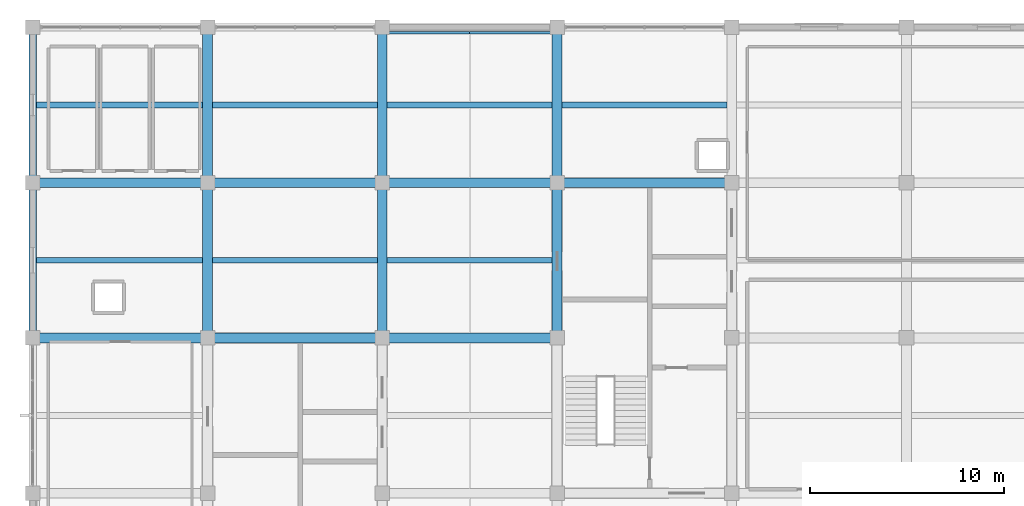
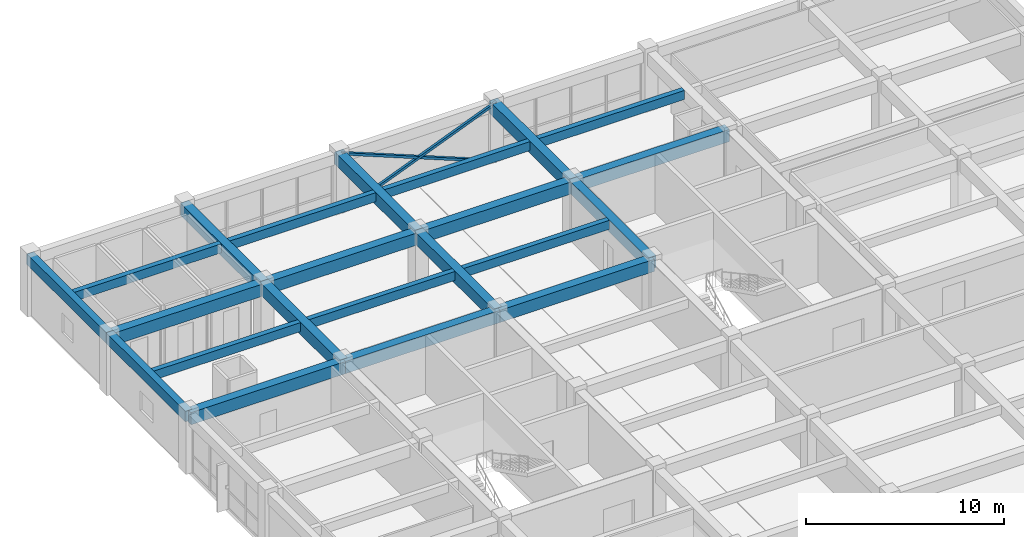
# One storey, part 7 of 15: 22 beams, 2 members.
"""IFC4 building model written with IfcOpenShell, lengths in metres."""

from ifc_helpers import new_model, si_unit, direction, frame, origin, origin_2d, place, context, subcontext, project, spatial, rectangle, hollow_rectangle, extrude, material, material_profile, profile_set, type_object, element, save


model = new_model("IFC4")

# Units and contexts
model_context = context("Model", 3, precision=1e-05, world=origin(), true_north=direction((0.0, 1.0)))
body_context = subcontext(model_context, "Body", "Model", "MODEL_VIEW")
ifc_project = project(units=[si_unit("LENGTHUNIT", "METRE"), si_unit("AREAUNIT", "SQUARE_METRE"), si_unit("VOLUMEUNIT", "CUBIC_METRE"), si_unit("PLANEANGLEUNIT", "RADIAN"), si_unit("MASSUNIT", "GRAM", prefix="KILO")], contexts=[model_context])

# Site, building, storey
site_placement = place(None, origin())
site = spatial("IfcSite", under=ifc_project, at=site_placement, CompositionType="ELEMENT")
building_placement = place(site_placement, origin())
building = spatial("IfcBuilding", under=site, at=building_placement, Name="Zaverband Oceanarium and Marine Research Institute", CompositionType="ELEMENT")
storey_placement = place(building_placement, frame((0.0, 0.0, 49.199951171875)))
storey = spatial("IfcBuildingStorey", under=building, at=storey_placement, Name="L12", CompositionType="ELEMENT", Elevation=49.199951171875)

# Beams
ifc_material_1 = material(Name="Concrete C40/50", Category="concrete")
ifc_material_profile_1 = material_profile(ifc_material_1, rectangle(XDim=0.5, YDim=0.75, at=origin_2d()), Name="RC500x750")
ifc_profile_set_1 = profile_set([ifc_material_profile_1], Name="Concrete C40/50")
beam_type_1 = type_object("IfcBeamType", Name="BM-500x750", PredefinedType="BEAM", material=ifc_profile_set_1)
for number, where, z_axis, x_axis, name in (
    (1, (9.0, 96.0, 3.2451171875), (1.0, 0.0, 0.0), (0.0, 1.0, 0.0), "Primary floor girder BM-500x750"),
    (2, (18.0, 96.0, 3.2451171875), (1.0, 0.0, 0.0), (0.0, 1.0, 0.0), "Primary floor girder BM-500x750"),
    (3, (27.0, 96.0, 3.2451171875), (1.0, 0.0, 0.0), (0.0, 1.0, 0.0), "Primary floor girder BM-500x750"),
    (4, (9.0, 104.0, 3.2451171875), (1.0, 0.0, 0.0), (0.0, 1.0, 0.0), "Primary floor girder BM-500x750"),
    (5, (18.0, 104.0, 3.2451171875), (1.0, 0.0, 0.0), (0.0, 1.0, 0.0), "Primary floor girder BM-500x750"),
    (6, (27.0, 104.0, 3.2451171875), (1.0, 0.0, 0.0), (0.0, 1.0, 0.0), "Primary floor girder BM-500x750"),
    (7, (36.0, 104.0, 3.2451171875), (1.0, 0.0, 0.0), (0.0, 1.0, 0.0), "Primary floor girder BM-500x750"),
):
    element("IfcBeam", number, at=place(storey_placement, frame(where, z_axis=z_axis, x_axis=x_axis)), inside=storey, type_object=beam_type_1, Name=name, PredefinedType="BEAM", context=body_context, shape_type="SweptSolid", body=[
        extrude(rectangle(XDim=0.5, YDim=0.75, at=origin_2d()), origin(), (0.0, 0.0, 1.0), 9.0),
    ])
for number, where, z_axis, x_axis, name in (
    (8, (18.0, 96.0, 3.2451171875), (0.0, 1.0, 0.0), (-1.0, 0.0, 0.0), "Primary floor girder BM-500x750"),
    (9, (18.0, 104.0, 3.2451171875), (0.0, 1.0, 0.0), (-1.0, 0.0, 0.0), "Primary floor girder BM-500x750"),
    (10, (27.0, 96.0, 3.2451171875), (0.0, 1.0, 0.0), (-1.0, 0.0, 0.0), "Primary floor girder BM-500x750"),
    (11, (27.0, 104.0, 3.2451171875), (0.0, 1.0, 0.0), (-1.0, 0.0, 0.0), "Primary floor girder BM-500x750"),
    (12, (36.0, 96.0, 3.2451171875), (0.0, 1.0, 0.0), (-1.0, 0.0, 0.0), "Primary floor girder BM-500x750"),
    (13, (36.0, 104.0, 3.2451171875), (0.0, 1.0, 0.0), (-1.0, 0.0, 0.0), "Primary floor girder BM-500x750"),
):
    element("IfcBeam", number, at=place(storey_placement, frame(where, z_axis=z_axis, x_axis=x_axis)), inside=storey, type_object=beam_type_1, Name=name, PredefinedType="BEAM", context=body_context, shape_type="SweptSolid", body=[
        extrude(rectangle(XDim=0.5, YDim=0.75, at=origin_2d()), origin(), (0.0, 0.0, 1.0), 8.0),
    ])

# Members
ifc_material_2 = material(Name="Steel S355", Category="steel")
ifc_material_profile_2 = material_profile(ifc_material_2, hollow_rectangle(XDim=0.14990234375, YDim=0.14990234375, WallThickness=0.008056640625, at=origin_2d()), Name="SHS150x150x8")
ifc_profile_set_2 = profile_set([ifc_material_profile_2], Name="Steel S355")
member_type = type_object("IfcMemberType", Name="BR-04", PredefinedType="BRACE", material=ifc_profile_set_2)
for number, where, z_axis, x_axis, name in (
    (14, (27.0, 111.719970703125, 0.0), (0.927759877096, 0.0, 0.373177719661), (0.0, 1.0, 0.0), "Diagonal lateral brace BR-04"),
    (15, (36.0, 111.719970703125, 0.0), (-0.927759877096, 0.0, 0.373177719661), (0.0, -1.0, 0.0), "Diagonal lateral brace BR-04"),
):
    element("IfcMember", number, at=place(storey_placement, frame(where, z_axis=z_axis, x_axis=x_axis)), inside=storey, type_object=member_type, Name=name, PredefinedType="BRACE", context=body_context, shape_type="SweptSolid", body=[
        extrude(hollow_rectangle(XDim=0.14990234375, YDim=0.14990234375, WallThickness=0.008056640625, at=origin_2d()), origin(), (0.0, 0.0, 1.0), 9.70068359375),
    ])

# Beams
ifc_material_profile_3 = material_profile(ifc_material_1, rectangle(XDim=0.300048828125, YDim=0.550048828125, at=origin_2d()), Name="RC300x550")
ifc_profile_set_3 = profile_set([ifc_material_profile_3], Name="Concrete C40/50")
beam_type_2 = type_object("IfcBeamType", Name="JST-300x550", PredefinedType="JOIST", material=ifc_profile_set_3)
for number, where, z_axis, x_axis, name in (
    (16, (9.199951171875, 100.0, 3.344970703125), (1.0, 0.0, 0.0), (0.0, 1.0, 0.0), "Secondary floor joist JST-300x550"),
    (17, (9.199951171875, 108.0, 3.344970703125), (1.0, 0.0, 0.0), (0.0, 1.0, 0.0), "Secondary floor joist JST-300x550"),
):
    element("IfcBeam", number, at=place(storey_placement, frame(where, z_axis=z_axis, x_axis=x_axis)), inside=storey, type_object=beam_type_2, Name=name, PredefinedType="JOIST", context=body_context, shape_type="SweptSolid", body=[
        extrude(rectangle(XDim=0.300048828125, YDim=0.550048828125, at=origin_2d()), origin(), (0.0, 0.0, 1.0), 8.550048828125),
    ])
for number, where, z_axis, x_axis, name in (
    (18, (18.25, 100.0, 3.344970703125), (1.0, 0.0, 0.0), (0.0, 1.0, 0.0), "Secondary floor joist JST-300x550"),
    (19, (18.25, 108.0, 3.344970703125), (1.0, 0.0, 0.0), (0.0, 1.0, 0.0), "Secondary floor joist JST-300x550"),
    (20, (27.25, 100.0, 3.344970703125), (1.0, 0.0, 0.0), (0.0, 1.0, 0.0), "Secondary floor joist JST-300x550"),
    (21, (27.25, 108.0, 3.344970703125), (1.0, 0.0, 0.0), (0.0, 1.0, 0.0), "Secondary floor joist JST-300x550"),
    (22, (36.25, 108.0, 3.344970703125), (1.0, 0.0, 0.0), (0.0, 1.0, 0.0), "Secondary floor joist JST-300x550"),
):
    element("IfcBeam", number, at=place(storey_placement, frame(where, z_axis=z_axis, x_axis=x_axis)), inside=storey, type_object=beam_type_2, Name=name, PredefinedType="JOIST", context=body_context, shape_type="SweptSolid", body=[
        extrude(rectangle(XDim=0.300048828125, YDim=0.550048828125, at=origin_2d()), origin(), (0.0, 0.0, 1.0), 8.5),
    ])
ifc_material_profile_4 = material_profile(ifc_material_1, rectangle(XDim=0.39990234375, YDim=0.64990234375, at=origin_2d()), Name="RC400x650")
ifc_profile_set_4 = profile_set([ifc_material_profile_4], Name="Concrete C40/50")
beam_type_3 = type_object("IfcBeamType", Name="SPN-400x650", PredefinedType="SPANDREL", material=ifc_profile_set_4)
for number, where, z_axis, x_axis, name in (
    (23, (9.0, 96.0, 3.295166015625), (0.0, 1.0, 0.0), (-1.0, 0.0, 0.0), "Perimeter spandrel beam SPN-400x650"),
    (24, (9.0, 104.0, 3.295166015625), (0.0, 1.0, 0.0), (-1.0, 0.0, 0.0), "Perimeter spandrel beam SPN-400x650"),
):
    element("IfcBeam", number, at=place(storey_placement, frame(where, z_axis=z_axis, x_axis=x_axis)), inside=storey, type_object=beam_type_3, Name=name, PredefinedType="SPANDREL", context=body_context, shape_type="SweptSolid", body=[
        extrude(rectangle(XDim=0.39990234375, YDim=0.64990234375, at=origin_2d()), origin(), (0.0, 0.0, 1.0), 8.0),
    ])

save(model, "model.ifc")
